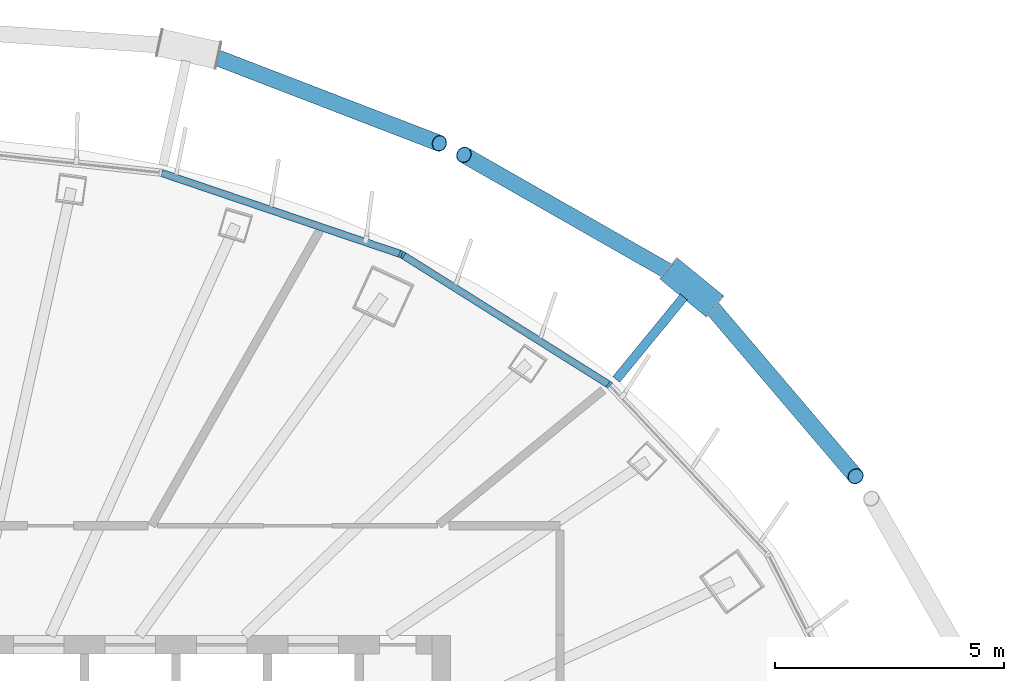
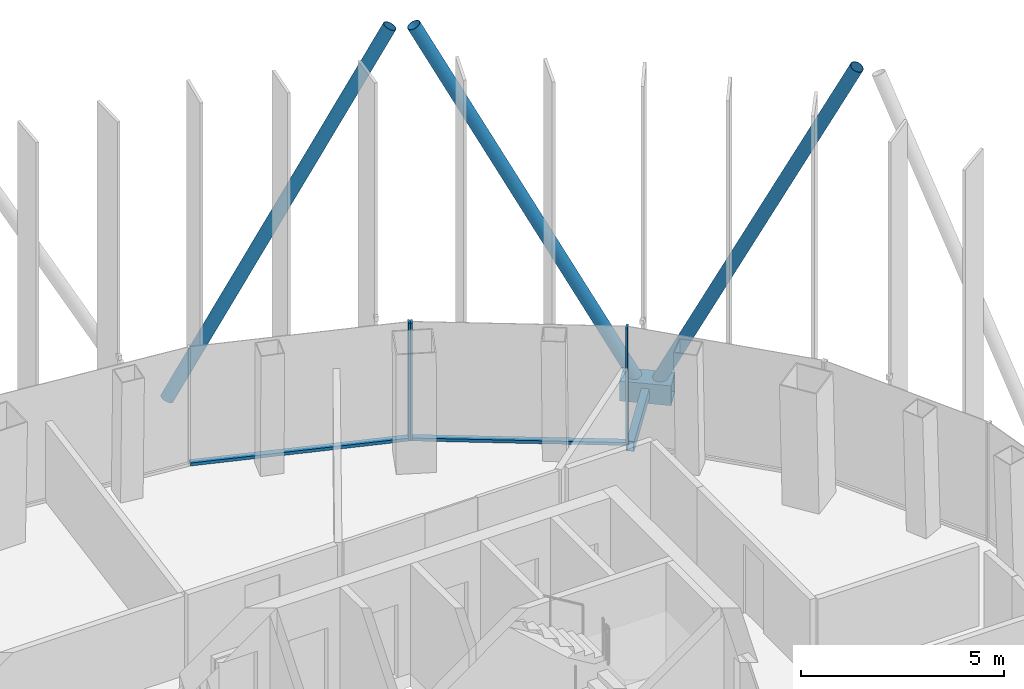
# One storey, part 8 of 19: 10 members, 2 elements without a shape of their own.
"""IFC4 building model written with IfcOpenShell, lengths in metres."""

from ifc_helpers import new_model, si_unit, direction, frame, origin, origin_2d, place, context, subcontext, project, spatial, rectangle, hollow_rectangle, hollow_circle, extrude, material, layer, layer_set, material_profile, profile_set, type_object, element, aggregate, save


model = new_model("IFC4")

# Units and contexts
model_context = context("Model", 3, precision=1e-05, world=origin(), true_north=direction((0.0, 1.0)))
body_context = subcontext(model_context, "Body", "Model", "MODEL_VIEW")
ifc_project = project(units=[si_unit("LENGTHUNIT", "METRE"), si_unit("AREAUNIT", "SQUARE_METRE"), si_unit("VOLUMEUNIT", "CUBIC_METRE"), si_unit("PLANEANGLEUNIT", "RADIAN"), si_unit("MASSUNIT", "GRAM", prefix="KILO")], contexts=[model_context])

# Site, building, storey
site_placement = place(None, origin())
site = spatial("IfcSite", under=ifc_project, at=site_placement, CompositionType="ELEMENT")
building_placement = place(site_placement, origin())
building = spatial("IfcBuilding", under=site, at=building_placement, Name="Siaravel Broadcast Tower", CompositionType="ELEMENT")
storey_placement = place(building_placement, frame((0.0, 0.0, 217.10009765625)))
storey = spatial("IfcBuildingStorey", under=building, at=storey_placement, Name="L52", CompositionType="ELEMENT", Elevation=217.10009765625)

# Curtain wall, members
ifc_material_1 = material(Name="Aluminium 6063-T6", Category="aluminium")
ifc_layer = layer(ifc_material_1, 0.159912109375)
ifc_layer_set = layer_set([ifc_layer], Name="Aluminium 6063-T6")
curtain_wall_type = type_object("IfcCurtainWallType", Name="Unitised curtain wall, zone 4", PredefinedType="NOTDEFINED", material=ifc_layer_set)
curtain_wall_1_placement = place(storey_placement, origin())
curtain_wall_1 = element("IfcCurtainWall", 1, at=curtain_wall_1_placement, inside=storey, type_object=curtain_wall_type, Name="L52 Unitised curtain wall, zone 4 02", PredefinedType="NOTDEFINED")
ifc_material_profile_1 = material_profile(ifc_material_1, rectangle(XDim=0.159912109375, YDim=0.054931640625, at=origin_2d()))
ifc_profile_set_1 = profile_set([ifc_material_profile_1], Name="Aluminium 6063-T6")
member_type_1 = type_object("IfcMemberType", Name="CW-Z4 mullion", PredefinedType="MULLION", material=ifc_profile_set_1)
member_1_placement = place(storey_placement, frame((15.47216796875, 12.686279296875, 0.0), z_axis=(0.0, 0.0, 1.0), x_axis=(-0.636219575, -0.771508038, 0.0)))
member_1 = element("IfcMember", 2, at=member_1_placement, type_object=member_type_1, Name="CW-Z4 mullion 2", PredefinedType="MULLION", context=body_context, shape_type="SweptSolid", body=[
    extrude(rectangle(XDim=0.159912109375, YDim=0.054931640625, at=origin_2d()), origin(), (0.0, 0.0, 1.0), 3.5498046875),
])
member_2_placement = place(storey_placement, frame((10.962890625, 15.5205078125, 0.0), z_axis=(0.0, 0.0, 1.0), x_axis=(-0.53215013, -0.84665001, 0.0)))
member_2 = element("IfcMember", 3, at=member_2_placement, type_object=member_type_1, Name="CW-Z4 mullion 3", PredefinedType="MULLION", context=body_context, shape_type="SweptSolid", body=[
    extrude(rectangle(XDim=0.159912109375, YDim=0.054931640625, at=origin_2d()), origin(), (0.0, 0.0, 1.0), 3.5498046875),
])

# Curtain wall, member
curtain_wall_2_placement = place(storey_placement, origin())
curtain_wall_2 = element("IfcCurtainWall", 4, at=curtain_wall_2_placement, inside=storey, type_object=curtain_wall_type, Name="L52 Unitised curtain wall, zone 4 03", PredefinedType="NOTDEFINED")
member_3_placement = place(storey_placement, frame((10.913330078125, 15.5439453125, 0.0), z_axis=(0.0, 0.0, 1.0), x_axis=(-0.321301242, -0.946977039, 0.0)))
member_3 = element("IfcMember", 5, at=member_3_placement, type_object=member_type_1, Name="CW-Z4 mullion 1", PredefinedType="MULLION", context=body_context, shape_type="SweptSolid", body=[
    extrude(rectangle(XDim=0.159912109375, YDim=0.054931640625, at=origin_2d()), origin(), (0.0, 0.0, 1.0), 3.5498046875),
])

# Member
ifc_material_profile_2 = material_profile(ifc_material_1, rectangle(XDim=0.159912109375, YDim=0.090087890625, at=origin_2d()))
ifc_profile_set_2 = profile_set([ifc_material_profile_2], Name="Aluminium 6063-T6")
member_type_2 = type_object("IfcMemberType", Name="CW-Z4 transom", PredefinedType="USERDEFINED", material=ifc_profile_set_2)
member_4_placement = place(storey_placement, frame((15.448974609375, 12.70068359375, 0.044921875), z_axis=(-0.846642511, 0.53216206, 0.0), x_axis=(-0.53216206, -0.846642511, 0.0)))
member_4 = element("IfcMember", 6, at=member_4_placement, type_object=member_type_2, Name="CW-Z4 transom 2", ObjectType="TRANSOM", PredefinedType="USERDEFINED", context=body_context, shape_type="SweptSolid", body=[
    extrude(rectangle(XDim=0.159912109375, YDim=0.090087890625, at=origin_2d()), origin(), (0.0, 0.0, 1.0), 5.271240234375),
])

aggregate(curtain_wall_1, [member_1, member_2, member_4])

member_5_placement = place(storey_placement, frame((10.887451171875, 15.552978515625, 0.044921875), z_axis=(-0.946979908, 0.321292784, 0.0), x_axis=(-0.321292784, -0.946979908, 0.0)))
member_5 = element("IfcMember", 7, at=member_5_placement, type_object=member_type_2, Name="CW-Z4 transom 1", ObjectType="TRANSOM", PredefinedType="USERDEFINED", context=body_context, shape_type="SweptSolid", body=[
    extrude(rectangle(XDim=0.159912109375, YDim=0.090087890625, at=origin_2d()), origin(), (0.0, 0.0, 1.0), 5.489990234375),
])

aggregate(curtain_wall_2, [member_3, member_5])

# Members
ifc_material_2 = material(Name="Steel S460", Category="steel")
ifc_material_profile_3 = material_profile(ifc_material_2, hollow_circle(Radius=0.177734375, WallThickness=0.012451171875, at=origin_2d()))
ifc_profile_set_3 = profile_set([ifc_material_profile_3], Name="Steel S460")
member_type_3 = type_object("IfcMemberType", Name="Diagrid diagonal CHS 355.6x12.5", PredefinedType="BRACE", material=ifc_profile_set_3)
member_6_placement = place(storey_placement, frame((17.5078125, 14.6279296875, 0.06982421875), z_axis=(0.284370555, -0.334140055, 0.89860103), x_axis=(0.761543844, 0.648113396, 0.0)))
element("IfcMember", 8, at=member_6_placement, inside=storey, type_object=member_type_3, Name="Diagrid diagonal R22 station 09C", PredefinedType="BRACE", context=body_context, shape_type="SweptSolid", body=[
    extrude(hollow_circle(Radius=0.177734375, WallThickness=0.012451171875, at=origin_2d()), origin(), (0.0, 0.0, 1.0), 11.807373046875),
])
member_7_placement = place(storey_placement, frame((17.05029296875, 15.00244140625, 0.06982421875), z_axis=(-0.398166084, 0.227140765, 0.888746782), x_axis=(-0.495509431, -0.868602558, 0.0)))
element("IfcMember", 9, at=member_7_placement, inside=storey, type_object=member_type_3, Name="Diagrid diagonal R22 station 09A", PredefinedType="BRACE", context=body_context, shape_type="SweptSolid", body=[
    extrude(hollow_circle(Radius=0.177734375, WallThickness=0.012451171875, at=origin_2d()), origin(), (0.0, 0.0, 1.0), 11.938232421875),
])
member_8_placement = place(storey_placement, frame((6.567626953125, 19.966552734375, 0.06982421875), z_axis=(0.433565517, -0.166901737, 0.885530774), x_axis=(0.359252394, 0.933240439, 0.0)))
element("IfcMember", 10, at=member_8_placement, inside=storey, type_object=member_type_3, Name="Diagrid diagonal R22 station 15C", PredefinedType="BRACE", context=body_context, shape_type="SweptSolid", body=[
    extrude(hollow_circle(Radius=0.177734375, WallThickness=0.012451171875, at=origin_2d()), origin(), (0.0, 0.0, 1.0), 11.981689453125),
])
ifc_material_profile_4 = material_profile(ifc_material_2, hollow_rectangle(XDim=0.60009765625, YDim=0.60009765625, WallThickness=0.031982421875, at=origin_2d()))
ifc_profile_set_4 = profile_set([ifc_material_profile_4], Name="Steel S460")
member_type_4 = type_object("IfcMemberType", Name="Diagrid node BOX 600x600x32", PredefinedType="USERDEFINED", material=ifc_profile_set_4)
member_9_placement = place(storey_placement, frame((17.779296875, 14.405517578125, -0.2001953125), z_axis=(-0.773578687, 0.633700257, 0.0), x_axis=(-0.633700257, -0.773578687, 0.0)))
element("IfcMember", 11, at=member_9_placement, inside=storey, type_object=member_type_4, Name="Diagrid node R22 station 09", ObjectType="DIAGRID NODE", PredefinedType="USERDEFINED", context=body_context, shape_type="SweptSolid", body=[
    extrude(hollow_rectangle(XDim=0.60009765625, YDim=0.60009765625, WallThickness=0.031982421875, at=origin_2d()), origin(), (0.0, 0.0, 1.0), 1.293212890625),
])
ifc_material_profile_5 = material_profile(ifc_material_2, hollow_rectangle(XDim=0.199951171875, YDim=0.300048828125, WallThickness=0.012451171875, at=origin_2d()))
ifc_profile_set_5 = profile_set([ifc_material_profile_5], Name="Steel S460")
member_type_5 = type_object("IfcMemberType", Name="Diagrid node arm RHS 300x200x12.5", PredefinedType="STRUT", material=ifc_profile_set_5)
member_10_placement = place(storey_placement, frame((15.63134765625, 12.803955078125, -0.2001953125), z_axis=(0.63375121, 0.773536944, 0.0), x_axis=(-0.773536944, 0.63375121, 0.0)))
element("IfcMember", 12, at=member_10_placement, inside=storey, type_object=member_type_5, Name="Node arm R22 station 09", PredefinedType="STRUT", context=body_context, shape_type="SweptSolid", body=[
    extrude(hollow_rectangle(XDim=0.199951171875, YDim=0.300048828125, WallThickness=0.012451171875, at=origin_2d()), origin(), (0.0, 0.0, 1.0), 2.329833984375),
])

save(model, "model.ifc")
